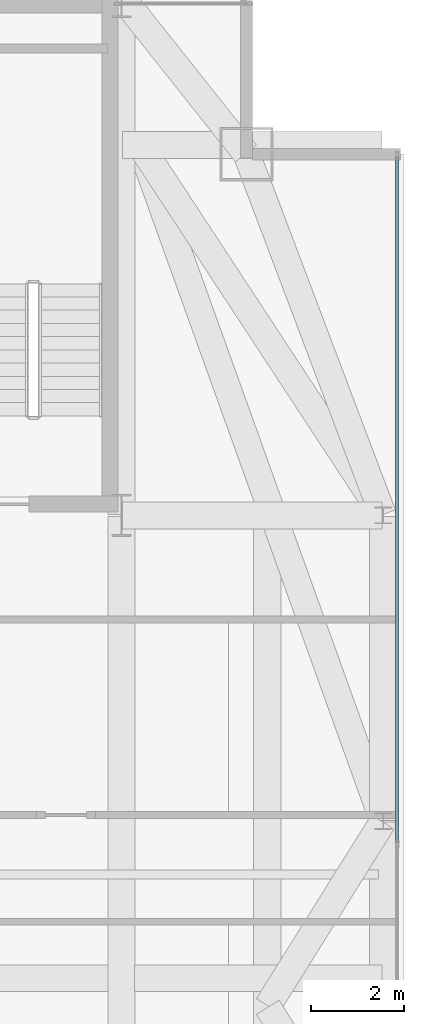
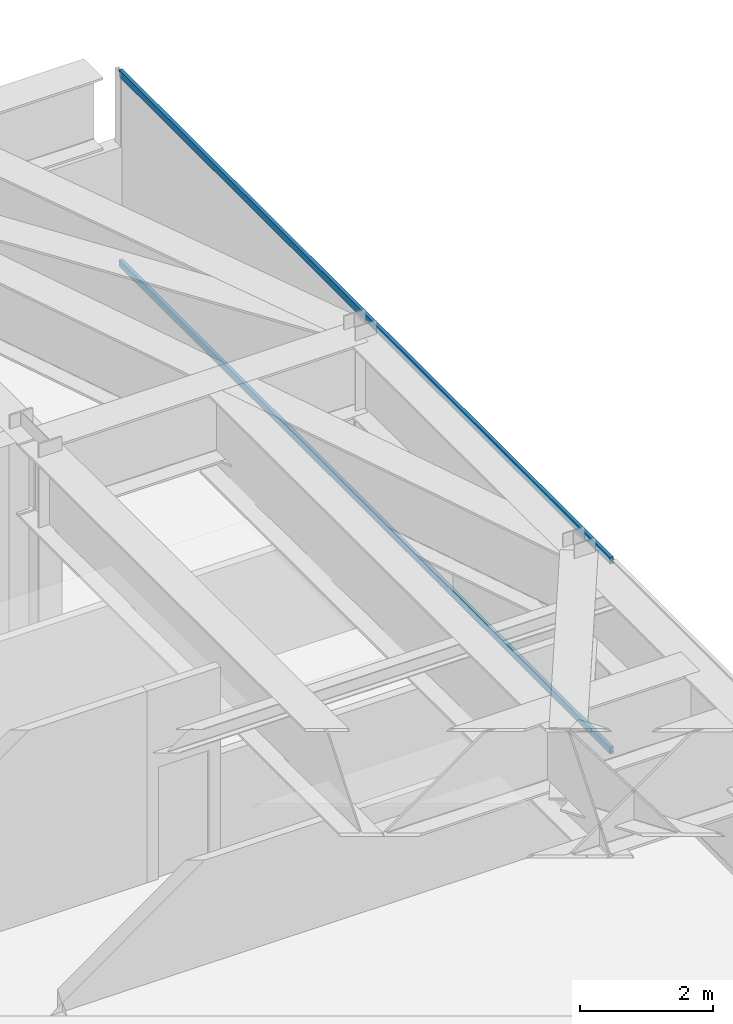
# One storey, part 17 of 23: 2 members, 1 element without a shape of its own.
"""IFC4 building model written with IfcOpenShell, lengths in metres."""

from ifc_helpers import new_model, si_unit, direction, frame, origin, origin_2d, place, context, subcontext, project, spatial, hollow_rectangle, extrude, source, transform, mapped, material, layer, layer_set, material_profile, profile_set, type_object, type_shapes, element, aggregate, save


model = new_model("IFC4")

# Units and contexts
model_context = context("Model", 3, precision=1e-05, world=origin(), true_north=direction((0.0, 1.0)))
body_context = subcontext(model_context, "Body", "Model", "MODEL_VIEW")
ifc_project = project(units=[si_unit("LENGTHUNIT", "METRE"), si_unit("AREAUNIT", "SQUARE_METRE"), si_unit("VOLUMEUNIT", "CUBIC_METRE"), si_unit("PLANEANGLEUNIT", "RADIAN"), si_unit("MASSUNIT", "GRAM", prefix="KILO")], contexts=[model_context])

# Site, building, storey
site_placement = place(None, origin())
site = spatial("IfcSite", under=ifc_project, at=site_placement, CompositionType="ELEMENT")
building_placement = place(site_placement, origin())
building = spatial("IfcBuilding", under=site, at=building_placement, Name="Varnel Quay Broadcast Tower", CompositionType="ELEMENT")
storey_placement = place(building_placement, frame((0.0, 0.0, 254.60009765625)))
storey = spatial("IfcBuildingStorey", under=building, at=storey_placement, Name="L63", CompositionType="ELEMENT", Elevation=254.60009765625)

# Curtain wall, members
ifc_material = material(Name="Anodised Bronze Aluminium 6063-T6", Category="aluminium")
ifc_layer = layer(ifc_material, 0.18994140625, Name="Anodised Bronze Aluminium 6063-T6")
ifc_layer_set = layer_set([ifc_layer], Name="Anodised Bronze Aluminium 6063-T6")
curtain_wall_type = type_object("IfcCurtainWallType", Name="CW_UpperTower", PredefinedType="NOTDEFINED", material=ifc_layer_set)
curtain_wall_placement = place(storey_placement, origin())
curtain_wall = element("IfcCurtainWall", 1, at=curtain_wall_placement, inside=storey, type_object=curtain_wall_type, Name="L63 East Unitised Curtain Wall", PredefinedType="NOTDEFINED")
ifc_material_profile = material_profile(ifc_material, hollow_rectangle(XDim=0.06005859375, YDim=0.125, WallThickness=0.0029296875, at=origin_2d()), Name="ALU60X125X3")
ifc_profile_set = profile_set([ifc_material_profile], Name="Anodised Bronze Aluminium 6063-T6")
member_type = type_object("IfcMemberType", Name="Tran_CWS-03", PredefinedType="USERDEFINED", material=ifc_profile_set)
shared_shape = source(origin(), body_context, "Body", "SweptSolid", [
    extrude(hollow_rectangle(XDim=0.06005859375, YDim=0.125, WallThickness=0.0029296875, at=origin_2d()), origin(), (0.0, 0.0, 1.0), 14.802490234375),
])
type_shapes(member_type, [shared_shape])
member_1_placement = place(storey_placement, frame((58.35009765625, 28.532470703125, 0.02978515625), z_axis=(0.0, 1.0, 0.0), x_axis=(-1.0, 0.0, 0.0)))
member_1 = element("IfcMember", 2, at=member_1_placement, type_object=member_type, Name="CWS-03 transom 2.1", ObjectType="TRANSOM", PredefinedType="USERDEFINED", context=body_context, shape_type="MappedRepresentation", body=[
    mapped(shared_shape, transform((0.0, 0.0, 0.0), x_axis=(1.0, 0.0, 0.0), y_axis=(0.0, 1.0, 0.0), z_axis=(0.0, 0.0, 1.0), scale=1.0)),
])
member_2_placement = place(storey_placement, frame((58.35009765625, 28.532470703125, 3.52001953125), z_axis=(0.0, 1.0, 0.0), x_axis=(-1.0, 0.0, 0.0)))
member_2 = element("IfcMember", 3, at=member_2_placement, type_object=member_type, Name="CWS-03 transom 2.2", ObjectType="TRANSOM", PredefinedType="USERDEFINED", context=body_context, shape_type="MappedRepresentation", body=[
    mapped(shared_shape, transform((0.0, 0.0, 0.0), x_axis=(1.0, 0.0, 0.0), y_axis=(0.0, 1.0, 0.0), z_axis=(0.0, 0.0, 1.0), scale=1.0)),
])
aggregate(curtain_wall, [member_1, member_2])

save(model, "model.ifc")
